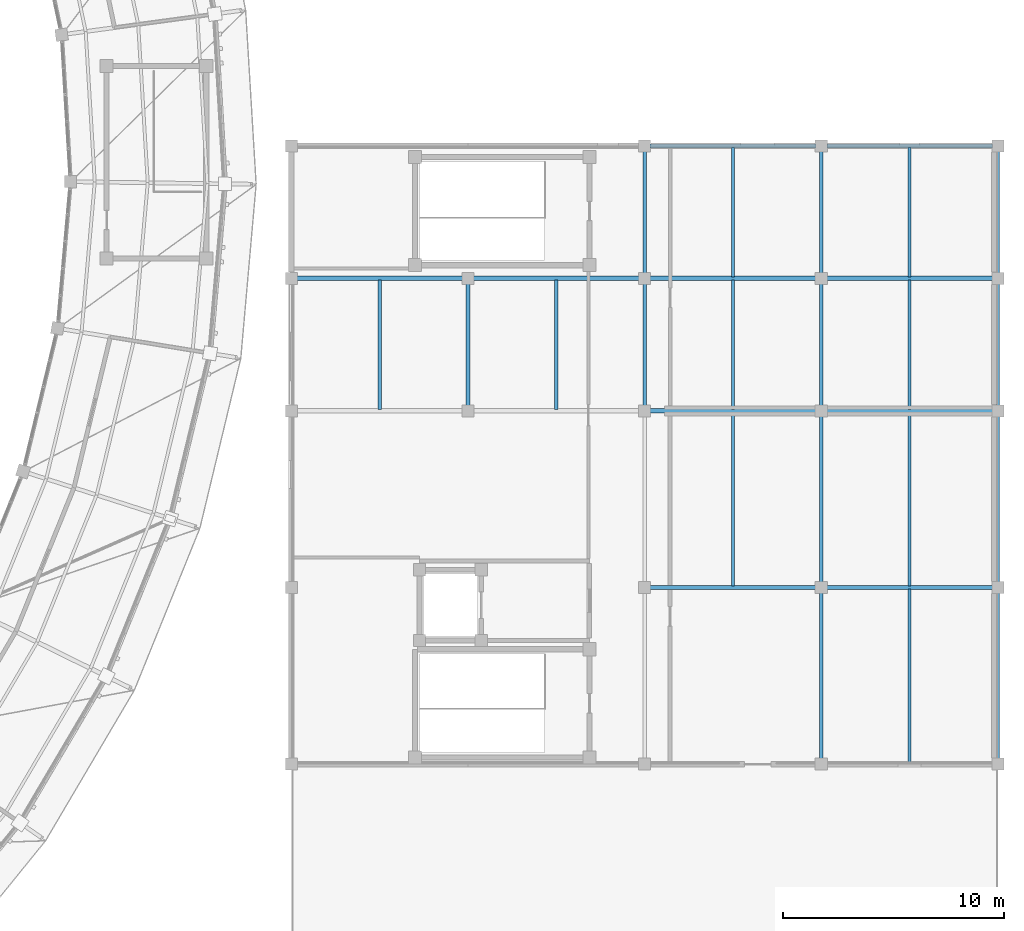
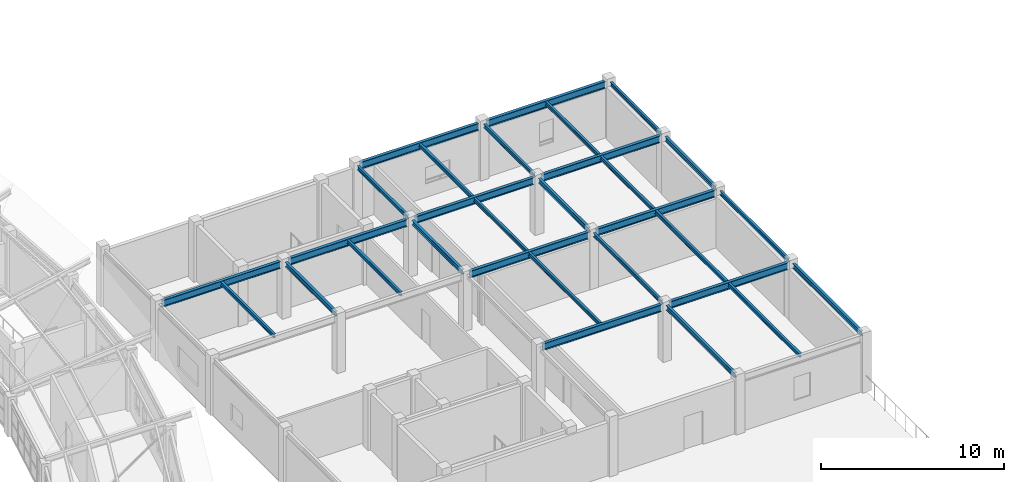
# One storey, part 95 of 149: 30 beams.
"""IFC4 building model written with IfcOpenShell, lengths in metres."""

from ifc_helpers import new_model, si_unit, direction, frame, origin, origin_2d, place, context, subcontext, project, spatial, i_section, extrude, material, material_profile, profile_set, type_object, element, save


model = new_model("IFC4")

# Units and contexts
model_context = context("Model", 3, precision=1e-05, world=origin(), true_north=direction((0.0, 1.0)))
body_context = subcontext(model_context, "Body", "Model", "MODEL_VIEW")
ifc_project = project(units=[si_unit("LENGTHUNIT", "METRE"), si_unit("AREAUNIT", "SQUARE_METRE"), si_unit("VOLUMEUNIT", "CUBIC_METRE"), si_unit("PLANEANGLEUNIT", "RADIAN"), si_unit("MASSUNIT", "GRAM", prefix="KILO")], contexts=[model_context])

# Site, building, storey
site_placement = place(None, origin())
site = spatial("IfcSite", under=ifc_project, at=site_placement, CompositionType="ELEMENT")
building_placement = place(site_placement, origin())
building = spatial("IfcBuilding", under=site, at=building_placement, Name="Celadon Cloister-Ring School", CompositionType="ELEMENT")
storey_placement = place(building_placement, frame((0.0, 0.0, 12.5)))
storey = spatial("IfcBuildingStorey", under=building, at=storey_placement, Name="L03", CompositionType="ELEMENT", Elevation=12.5)

# Beams
ifc_material_1 = material(Name="Structural steel S355JR", Category="steel")
ifc_material_profile_1 = material_profile(ifc_material_1, i_section(OverallWidth=0.1650390625, OverallDepth=0.31005859375, WebThickness=0.005859375, FlangeThickness=0.009765625, at=origin_2d()), Name="W310X39")
ifc_profile_set_1 = profile_set([ifc_material_profile_1], Name="Structural steel S355JR")
beam_type_1 = type_object("IfcBeamType", Name="BT-09", PredefinedType="BEAM", material=ifc_profile_set_1)
for number, where, z_axis, x_axis, name in (
    (1, (150.0, 48.25, 3.60498046875), (0.0, 1.0, 0.0), (-1.0, 0.0, 0.0), "Beam 1456"),
    (2, (158.0, 48.25, 3.60498046875), (0.0, 1.0, 0.0), (-1.0, 0.0, 0.0), "Beam 1459"),
):
    element("IfcBeam", number, at=place(storey_placement, frame(where, z_axis=z_axis, x_axis=x_axis)), inside=storey, type_object=beam_type_1, Name=name, PredefinedType="BEAM", context=body_context, shape_type="SweptSolid", body=[
        extrude(i_section(OverallWidth=0.1650390625, OverallDepth=0.31005859375, WebThickness=0.005859375, FlangeThickness=0.009765625, at=origin_2d()), origin(), (0.0, 0.0, 1.0), 5.5),
    ])
beam_1_placement = place(storey_placement, frame((166.0, 32.25, 3.60498046875), z_axis=(0.0, 1.0, 0.0), x_axis=(-1.0, 0.0, 0.0)))
element("IfcBeam", 3, at=beam_1_placement, inside=storey, type_object=beam_type_1, Name="Beam 1461", PredefinedType="BEAM", context=body_context, shape_type="SweptSolid", body=[
    extrude(i_section(OverallWidth=0.1650390625, OverallDepth=0.31005859375, WebThickness=0.005859375, FlangeThickness=0.009765625, at=origin_2d()), origin(), (0.0, 0.0, 1.0), 7.5),
])
beam_2_placement = place(storey_placement, frame((166.0, 48.25, 3.60498046875), z_axis=(0.0, 1.0, 0.0), x_axis=(-1.0, 0.0, 0.0)))
element("IfcBeam", 4, at=beam_2_placement, inside=storey, type_object=beam_type_1, Name="Beam 1463", PredefinedType="BEAM", context=body_context, shape_type="SweptSolid", body=[
    extrude(i_section(OverallWidth=0.1650390625, OverallDepth=0.31005859375, WebThickness=0.005859375, FlangeThickness=0.009765625, at=origin_2d()), origin(), (0.0, 0.0, 1.0), 5.5),
])
beam_3_placement = place(storey_placement, frame((174.0, 32.25, 3.60498046875), z_axis=(0.0, 1.0, 0.0), x_axis=(-1.0, 0.0, 0.0)))
element("IfcBeam", 5, at=beam_3_placement, inside=storey, type_object=beam_type_1, Name="Beam 1465", PredefinedType="BEAM", context=body_context, shape_type="SweptSolid", body=[
    extrude(i_section(OverallWidth=0.1650390625, OverallDepth=0.31005859375, WebThickness=0.005859375, FlangeThickness=0.009765625, at=origin_2d()), origin(), (0.0, 0.0, 1.0), 7.5),
])
beam_4_placement = place(storey_placement, frame((174.0, 48.25, 3.60498046875), z_axis=(0.0, 1.0, 0.0), x_axis=(-1.0, 0.0, 0.0)))
element("IfcBeam", 6, at=beam_4_placement, inside=storey, type_object=beam_type_1, Name="Beam 1467", PredefinedType="BEAM", context=body_context, shape_type="SweptSolid", body=[
    extrude(i_section(OverallWidth=0.1650390625, OverallDepth=0.31005859375, WebThickness=0.005859375, FlangeThickness=0.009765625, at=origin_2d()), origin(), (0.0, 0.0, 1.0), 5.5),
])
ifc_material_2 = material(Name="Structural steel S355JR", Category="steel")
ifc_material_profile_2 = material_profile(ifc_material_2, i_section(OverallWidth=0.14599609375, OverallDepth=0.258056640625, WebThickness=0.006103515625, FlangeThickness=0.009033203125, at=origin_2d()), Name="W250X33")
ifc_profile_set_2 = profile_set([ifc_material_profile_2], Name="Structural steel S355JR")
beam_type_2 = type_object("IfcBeamType", Name="BT-10", PredefinedType="BEAM", material=ifc_profile_set_2)
beam_5_placement = place(storey_placement, frame((158.0, 54.25, 3.631103515625), z_axis=(0.0, 1.0, 0.0), x_axis=(-1.0, 0.0, 0.0)))
element("IfcBeam", 7, at=beam_5_placement, inside=storey, type_object=beam_type_2, Name="Beam 1460", PredefinedType="BEAM", context=body_context, shape_type="SweptSolid", body=[
    extrude(i_section(OverallWidth=0.14599609375, OverallDepth=0.258056640625, WebThickness=0.006103515625, FlangeThickness=0.009033203125, at=origin_2d()), origin(), (0.0, 0.0, 1.0), 5.5),
])
beam_6_placement = place(storey_placement, frame((166.0, 40.25, 3.631103515625), z_axis=(0.0, 1.0, 0.0), x_axis=(-1.0, 0.0, 0.0)))
element("IfcBeam", 8, at=beam_6_placement, inside=storey, type_object=beam_type_2, Name="Beam 1462", PredefinedType="BEAM", context=body_context, shape_type="SweptSolid", body=[
    extrude(i_section(OverallWidth=0.14599609375, OverallDepth=0.258056640625, WebThickness=0.006103515625, FlangeThickness=0.009033203125, at=origin_2d()), origin(), (0.0, 0.0, 1.0), 7.5),
])
beam_7_placement = place(storey_placement, frame((166.0, 54.25, 3.631103515625), z_axis=(0.0, 1.0, 0.0), x_axis=(-1.0, 0.0, 0.0)))
element("IfcBeam", 9, at=beam_7_placement, inside=storey, type_object=beam_type_2, Name="Beam 1464", PredefinedType="BEAM", context=body_context, shape_type="SweptSolid", body=[
    extrude(i_section(OverallWidth=0.14599609375, OverallDepth=0.258056640625, WebThickness=0.006103515625, FlangeThickness=0.009033203125, at=origin_2d()), origin(), (0.0, 0.0, 1.0), 5.5),
])
beam_8_placement = place(storey_placement, frame((174.0, 40.25, 3.631103515625), z_axis=(0.0, 1.0, 0.0), x_axis=(-1.0, 0.0, 0.0)))
element("IfcBeam", 10, at=beam_8_placement, inside=storey, type_object=beam_type_2, Name="Beam 1466", PredefinedType="BEAM", context=body_context, shape_type="SweptSolid", body=[
    extrude(i_section(OverallWidth=0.14599609375, OverallDepth=0.258056640625, WebThickness=0.006103515625, FlangeThickness=0.009033203125, at=origin_2d()), origin(), (0.0, 0.0, 1.0), 7.5),
])
beam_9_placement = place(storey_placement, frame((174.0, 54.25, 3.631103515625), z_axis=(0.0, 1.0, 0.0), x_axis=(-1.0, 0.0, 0.0)))
element("IfcBeam", 11, at=beam_9_placement, inside=storey, type_object=beam_type_2, Name="Beam 1468", PredefinedType="BEAM", context=body_context, shape_type="SweptSolid", body=[
    extrude(i_section(OverallWidth=0.14599609375, OverallDepth=0.258056640625, WebThickness=0.006103515625, FlangeThickness=0.009033203125, at=origin_2d()), origin(), (0.0, 0.0, 1.0), 5.5),
])
ifc_material_3 = material(Name="Structural steel S355JR", Category="steel")
ifc_material_profile_3 = material_profile(ifc_material_3, i_section(OverallWidth=0.19189453125, OverallDepth=0.462890625, WebThickness=0.010498046875, FlangeThickness=0.017578125, at=origin_2d()), Name="W460X89")
ifc_profile_set_3 = profile_set([ifc_material_profile_3], Name="Structural steel S355JR")
beam_type_3 = type_object("IfcBeamType", Name="GT-07", PredefinedType="USERDEFINED", material=ifc_profile_set_3)
for number, where, z_axis, x_axis, name in (
    (12, (158.25, 40.0, 3.529052734375), (1.0, 0.0, 0.0), (0.0, 1.0, 0.0), "Beam 1440"),
    (13, (166.25, 40.0, 3.529052734375), (1.0, 0.0, 0.0), (0.0, 1.0, 0.0), "Beam 1441"),
    (14, (158.25, 48.0, 3.529052734375), (1.0, 0.0, 0.0), (0.0, 1.0, 0.0), "Beam 1444"),
    (15, (166.25, 48.0, 3.529052734375), (1.0, 0.0, 0.0), (0.0, 1.0, 0.0), "Beam 1445"),
    (16, (142.25, 54.0, 3.529052734375), (1.0, 0.0, 0.0), (0.0, 1.0, 0.0), "Beam 1446"),
    (17, (150.25, 54.0, 3.529052734375), (1.0, 0.0, 0.0), (0.0, 1.0, 0.0), "Beam 1447"),
    (18, (158.25, 54.0, 3.529052734375), (1.0, 0.0, 0.0), (0.0, 1.0, 0.0), "Beam 1448"),
    (19, (166.25, 54.0, 3.529052734375), (1.0, 0.0, 0.0), (0.0, 1.0, 0.0), "Beam 1449"),
    (20, (158.25, 60.0, 3.529052734375), (1.0, 0.0, 0.0), (0.0, 1.0, 0.0), "Beam 1450"),
    (21, (166.25, 60.0, 3.529052734375), (1.0, 0.0, 0.0), (0.0, 1.0, 0.0), "Beam 1451"),
):
    element("IfcBeam", number, at=place(storey_placement, frame(where, z_axis=z_axis, x_axis=x_axis)), inside=storey, type_object=beam_type_3, Name=name, ObjectType="GIRDER", PredefinedType="USERDEFINED", context=body_context, shape_type="SweptSolid", body=[
        extrude(i_section(OverallWidth=0.19189453125, OverallDepth=0.462890625, WebThickness=0.010498046875, FlangeThickness=0.017578125, at=origin_2d()), origin(), (0.0, 0.0, 1.0), 7.5),
    ])
ifc_material_4 = material(Name="Structural steel S355JR", Category="steel")
ifc_material_profile_4 = material_profile(ifc_material_4, i_section(OverallWidth=0.14599609375, OverallDepth=0.258056640625, WebThickness=0.006103515625, FlangeThickness=0.009033203125, at=origin_2d()), Name="W250X33")
ifc_profile_set_4 = profile_set([ifc_material_profile_4], Name="Structural steel S355JR")
beam_type_4 = type_object("IfcBeamType", Name="JT-04", PredefinedType="JOIST", material=ifc_profile_set_4)
for number, where, z_axis, x_axis, name in (
    (22, (146.0, 48.071044921875, 3.631103515625), (0.0, 1.0, 0.0), (-1.0, 0.0, 0.0), "Beam 1469"),
    (23, (154.0, 48.071044921875, 3.631103515625), (0.0, 1.0, 0.0), (-1.0, 0.0, 0.0), "Beam 1470"),
):
    element("IfcBeam", number, at=place(storey_placement, frame(where, z_axis=z_axis, x_axis=x_axis)), inside=storey, type_object=beam_type_4, Name=name, PredefinedType="JOIST", context=body_context, shape_type="SweptSolid", body=[
        extrude(i_section(OverallWidth=0.14599609375, OverallDepth=0.258056640625, WebThickness=0.006103515625, FlangeThickness=0.009033203125, at=origin_2d()), origin(), (0.0, 0.0, 1.0), 5.85791015625),
    ])
beam_10_placement = place(storey_placement, frame((162.0, 40.071044921875, 3.631103515625), z_axis=(0.0, 1.0, 0.0), x_axis=(-1.0, 0.0, 0.0)))
element("IfcBeam", 24, at=beam_10_placement, inside=storey, type_object=beam_type_4, Name="Beam 1471", PredefinedType="JOIST", context=body_context, shape_type="SweptSolid", body=[
    extrude(i_section(OverallWidth=0.14599609375, OverallDepth=0.258056640625, WebThickness=0.006103515625, FlangeThickness=0.009033203125, at=origin_2d()), origin(), (0.0, 0.0, 1.0), 7.85791015625),
])
for number, where, z_axis, x_axis, name in (
    (25, (162.0, 48.071044921875, 3.631103515625), (0.0, 1.0, 0.0), (-1.0, 0.0, 0.0), "Beam 1472"),
    (26, (162.0, 54.071044921875, 3.631103515625), (0.0, 1.0, 0.0), (-1.0, 0.0, 0.0), "Beam 1473"),
):
    element("IfcBeam", number, at=place(storey_placement, frame(where, z_axis=z_axis, x_axis=x_axis)), inside=storey, type_object=beam_type_4, Name=name, PredefinedType="JOIST", context=body_context, shape_type="SweptSolid", body=[
        extrude(i_section(OverallWidth=0.14599609375, OverallDepth=0.258056640625, WebThickness=0.006103515625, FlangeThickness=0.009033203125, at=origin_2d()), origin(), (0.0, 0.0, 1.0), 5.85791015625),
    ])
for number, where, z_axis, x_axis, name in (
    (27, (170.0, 32.071044921875, 3.631103515625), (0.0, 1.0, 0.0), (-1.0, 0.0, 0.0), "Beam 1474"),
    (28, (170.0, 40.071044921875, 3.631103515625), (0.0, 1.0, 0.0), (-1.0, 0.0, 0.0), "Beam 1475"),
):
    element("IfcBeam", number, at=place(storey_placement, frame(where, z_axis=z_axis, x_axis=x_axis)), inside=storey, type_object=beam_type_4, Name=name, PredefinedType="JOIST", context=body_context, shape_type="SweptSolid", body=[
        extrude(i_section(OverallWidth=0.14599609375, OverallDepth=0.258056640625, WebThickness=0.006103515625, FlangeThickness=0.009033203125, at=origin_2d()), origin(), (0.0, 0.0, 1.0), 7.85791015625),
    ])
for number, where, z_axis, x_axis, name in (
    (29, (170.0, 48.071044921875, 3.631103515625), (0.0, 1.0, 0.0), (-1.0, 0.0, 0.0), "Beam 1476"),
    (30, (170.0, 54.071044921875, 3.631103515625), (0.0, 1.0, 0.0), (-1.0, 0.0, 0.0), "Beam 1477"),
):
    element("IfcBeam", number, at=place(storey_placement, frame(where, z_axis=z_axis, x_axis=x_axis)), inside=storey, type_object=beam_type_4, Name=name, PredefinedType="JOIST", context=body_context, shape_type="SweptSolid", body=[
        extrude(i_section(OverallWidth=0.14599609375, OverallDepth=0.258056640625, WebThickness=0.006103515625, FlangeThickness=0.009033203125, at=origin_2d()), origin(), (0.0, 0.0, 1.0), 5.85791015625),
    ])

save(model, "model.ifc")
